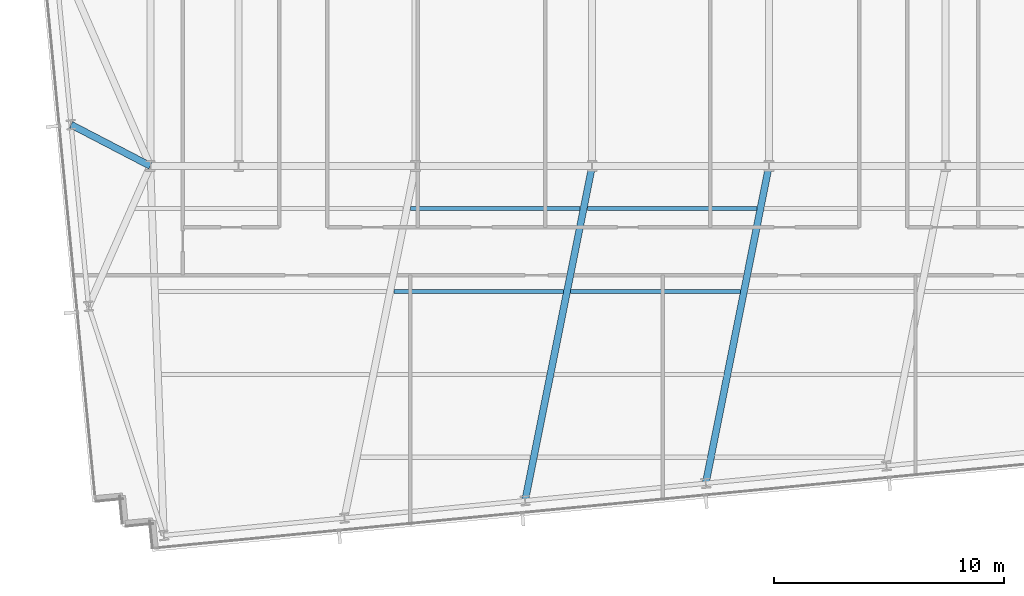
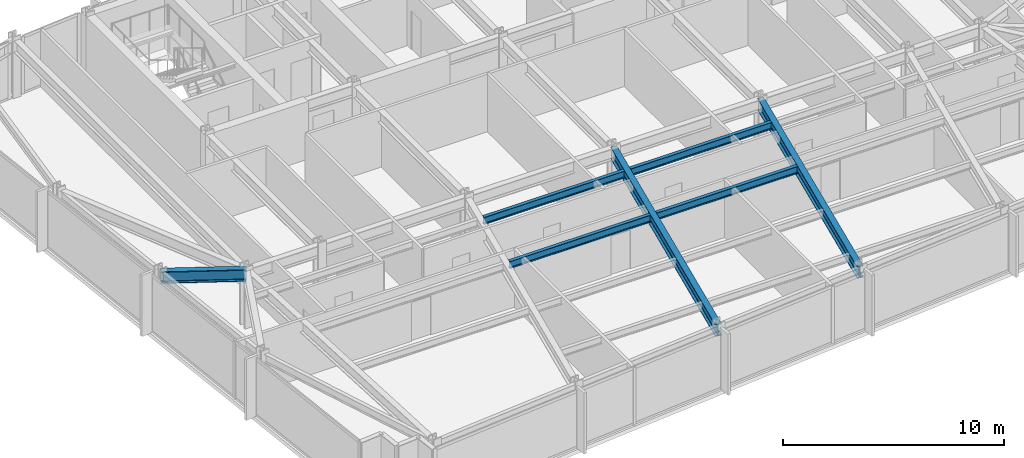
# One storey, part 5 of 33: 7 beams.
"""IFC4 building model written with IfcOpenShell, lengths in metres."""

from ifc_helpers import new_model, si_unit, direction, frame, origin, origin_2d, place, context, subcontext, project, spatial, i_section, extrude, material, material_profile, profile_set, type_object, element, save


model = new_model("IFC4")

# Units and contexts
model_context = context("Model", 3, precision=1e-05, world=origin(), true_north=direction((0.0, 1.0)))
body_context = subcontext(model_context, "Body", "Model", "MODEL_VIEW")
ifc_project = project(units=[si_unit("LENGTHUNIT", "METRE"), si_unit("AREAUNIT", "SQUARE_METRE"), si_unit("VOLUMEUNIT", "CUBIC_METRE"), si_unit("PLANEANGLEUNIT", "RADIAN"), si_unit("MASSUNIT", "GRAM", prefix="KILO")], contexts=[model_context])

# Site, building, storey
site_placement = place(None, origin())
site = spatial("IfcSite", under=ifc_project, at=site_placement, CompositionType="ELEMENT")
building_placement = place(site_placement, origin())
building = spatial("IfcBuilding", under=site, at=building_placement, Name="Yelkora Congress Tower", CompositionType="ELEMENT")
storey_placement = place(building_placement, frame((0.0, 0.0, 127.10009765625)))
storey = spatial("IfcBuildingStorey", under=building, at=storey_placement, Name="L34", CompositionType="ELEMENT", Elevation=127.10009765625)

# Beams
ifc_material = material(Name="Steel S355J2", Category="steel")
ifc_material_profile_1 = material_profile(ifc_material, i_section(OverallWidth=0.300048828125, OverallDepth=0.64990234375, WebThickness=0.01611328125, FlangeThickness=0.031005859375, FilletRadius=0.027099609375, at=origin_2d()), Name="HEB 650")
ifc_profile_set_1 = profile_set([ifc_material_profile_1], Name="Steel S355J2")
beam_type_1 = type_object("IfcBeamType", Name="BM-GIRD-HEB650", PredefinedType="BEAM", material=ifc_profile_set_1)
beam_1_placement = place(storey_placement, frame((35.48486328125, 10.656005859375, 2.85498046875), z_axis=(0.196521264673, 0.980499562739, 0.0), x_axis=(-0.980499562739, 0.196521264673, 0.0)))
element("IfcBeam", 1, at=beam_1_placement, inside=storey, type_object=beam_type_1, Name="L34 Primary Frame Girder S03", PredefinedType="BEAM", context=body_context, shape_type="SweptSolid", body=[
    extrude(i_section(OverallWidth=0.300048828125, OverallDepth=0.64990234375, WebThickness=0.01611328125, FlangeThickness=0.031005859375, FilletRadius=0.027099609375, at=origin_2d()), origin(), (0.0, 0.0, 1.0), 14.833251953125),
])
beam_2_placement = place(storey_placement, frame((43.334228515625, 11.411865234375, 2.85498046875), z_axis=(0.195311238928, 0.980741311432, 0.0), x_axis=(-0.980741311432, 0.195311238928, 0.0)))
element("IfcBeam", 2, at=beam_2_placement, inside=storey, type_object=beam_type_1, Name="L34 Primary Frame Girder S04", PredefinedType="BEAM", context=body_context, shape_type="SweptSolid", body=[
    extrude(i_section(OverallWidth=0.300048828125, OverallDepth=0.64990234375, WebThickness=0.01611328125, FlangeThickness=0.031005859375, FilletRadius=0.027099609375, at=origin_2d()), origin(), (0.0, 0.0, 1.0), 14.058837890625),
])
beam_3_placement = place(storey_placement, frame((15.757080078125, 26.990478515625, 2.85498046875), z_axis=(0.887192078676, -0.461400276912, 0.0), x_axis=(0.461400276912, 0.887192078676, 0.0)))
element("IfcBeam", 3, at=beam_3_placement, inside=storey, type_object=beam_type_1, Name="L34 Primary Frame Girder W02", PredefinedType="BEAM", context=body_context, shape_type="SweptSolid", body=[
    extrude(i_section(OverallWidth=0.300048828125, OverallDepth=0.64990234375, WebThickness=0.01611328125, FlangeThickness=0.031005859375, FilletRadius=0.027099609375, at=origin_2d()), origin(), (0.0, 0.0, 1.0), 3.880615234375),
])
ifc_material_profile_2 = material_profile(ifc_material, i_section(OverallWidth=0.179931640625, OverallDepth=0.39990234375, WebThickness=0.008544921875, FlangeThickness=0.013427734375, FilletRadius=0.02099609375, at=origin_2d()), Name="IPE 400")
ifc_profile_set_2 = profile_set([ifc_material_profile_2], Name="Steel S355J2")
beam_type_2 = type_object("IfcBeamType", Name="BM-JOIST-IPE400", PredefinedType="JOIST", material=ifc_profile_set_2)
beam_4_placement = place(storey_placement, frame((29.780029296875, 19.744384765625, 2.97998046875), z_axis=(1.0, 0.0, 0.0), x_axis=(0.0, 1.0, 0.0)))
element("IfcBeam", 4, at=beam_4_placement, inside=storey, type_object=beam_type_2, Name="L34 Composite Floor Joist 12", PredefinedType="JOIST", context=body_context, shape_type="SweptSolid", body=[
    extrude(i_section(OverallWidth=0.179931640625, OverallDepth=0.39990234375, WebThickness=0.008544921875, FlangeThickness=0.013427734375, FilletRadius=0.02099609375, at=origin_2d()), origin(), (0.0, 0.0, 1.0), 7.366455078125),
])
beam_5_placement = place(storey_placement, frame((37.466552734375, 19.744384765625, 2.97998046875), z_axis=(1.0, 0.0, 0.0), x_axis=(0.0, 1.0, 0.0)))
element("IfcBeam", 5, at=beam_5_placement, inside=storey, type_object=beam_type_2, Name="L34 Composite Floor Joist 13", PredefinedType="JOIST", context=body_context, shape_type="SweptSolid", body=[
    extrude(i_section(OverallWidth=0.179931640625, OverallDepth=0.39990234375, WebThickness=0.008544921875, FlangeThickness=0.013427734375, FilletRadius=0.02099609375, at=origin_2d()), origin(), (0.0, 0.0, 1.0), 7.366943359375),
])
beam_6_placement = place(storey_placement, frame((30.505859375, 23.344482421875, 2.97998046875), z_axis=(1.0, 0.0, 0.0), x_axis=(0.0, 1.0, 0.0)))
element("IfcBeam", 6, at=beam_6_placement, inside=storey, type_object=beam_type_2, Name="L34 Composite Floor Joist 19", PredefinedType="JOIST", context=body_context, shape_type="SweptSolid", body=[
    extrude(i_section(OverallWidth=0.179931640625, OverallDepth=0.39990234375, WebThickness=0.008544921875, FlangeThickness=0.013427734375, FilletRadius=0.02099609375, at=origin_2d()), origin(), (0.0, 0.0, 1.0), 7.3623046875),
])
beam_7_placement = place(storey_placement, frame((38.18798828125, 23.344482421875, 2.97998046875), z_axis=(1.0, 0.0, 0.0), x_axis=(0.0, 1.0, 0.0)))
element("IfcBeam", 7, at=beam_7_placement, inside=storey, type_object=beam_type_2, Name="L34 Composite Floor Joist 20", PredefinedType="JOIST", context=body_context, shape_type="SweptSolid", body=[
    extrude(i_section(OverallWidth=0.179931640625, OverallDepth=0.39990234375, WebThickness=0.008544921875, FlangeThickness=0.013427734375, FilletRadius=0.02099609375, at=origin_2d()), origin(), (0.0, 0.0, 1.0), 7.362548828125),
])

save(model, "model.ifc")
